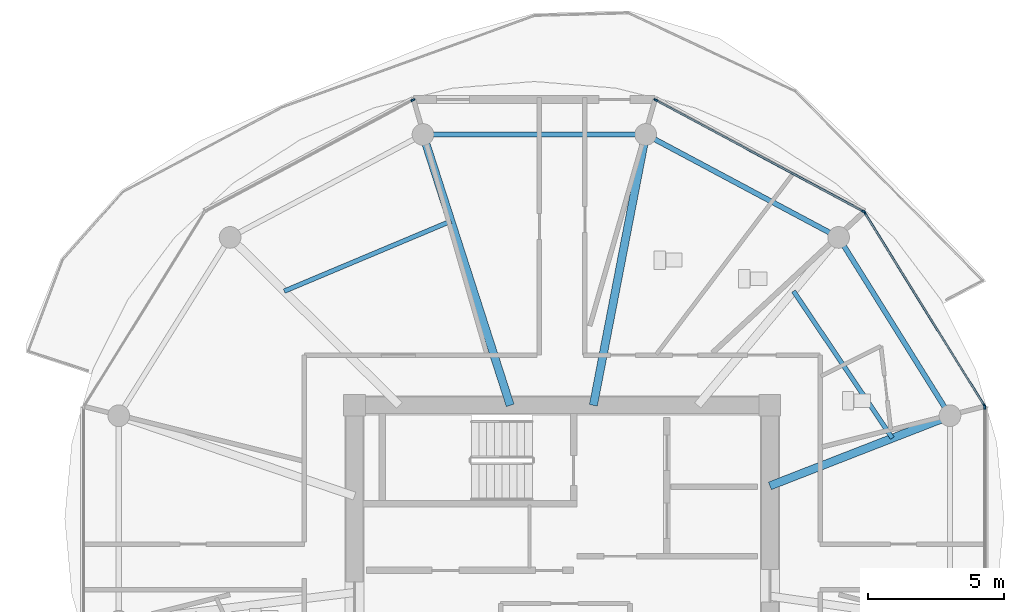
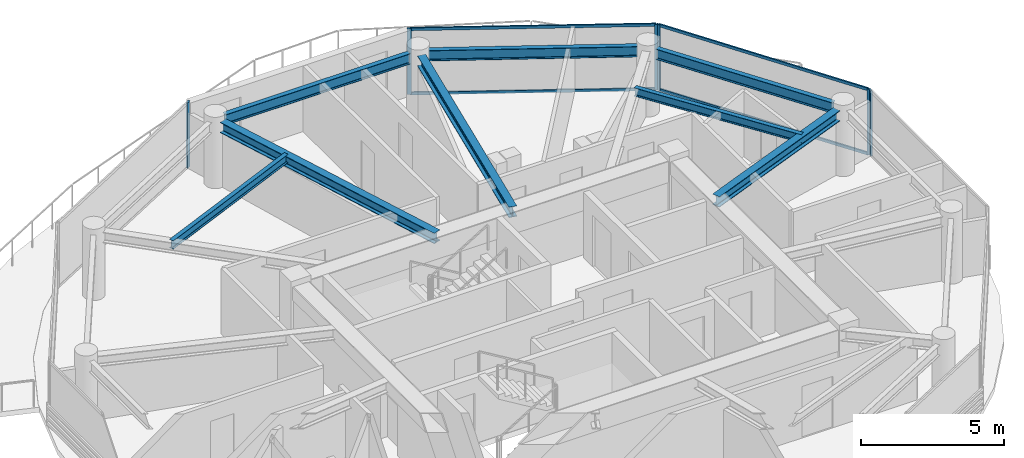
# One storey, part 10 of 23: 10 members, 8 beams, 4 elements without a shape of their own.
"""IFC4 building model written with IfcOpenShell, lengths in metres."""

from ifc_helpers import new_model, si_unit, direction, frame, origin, origin_2d, place, context, subcontext, project, spatial, rectangle, i_section, extrude, source, transform, mapped, material, layer, layer_set, material_profile, profile_set, type_object, type_shapes, element, aggregate, save


model = new_model("IFC4")

# Units and contexts
model_context = context("Model", 3, precision=1e-05, world=origin(), true_north=direction((0.0, 1.0)))
body_context = subcontext(model_context, "Body", "Model", "MODEL_VIEW")
ifc_project = project(units=[si_unit("LENGTHUNIT", "METRE"), si_unit("AREAUNIT", "SQUARE_METRE"), si_unit("VOLUMEUNIT", "CUBIC_METRE"), si_unit("PLANEANGLEUNIT", "RADIAN"), si_unit("MASSUNIT", "GRAM", prefix="KILO")], contexts=[model_context])

# Site, building, storey
site_placement = place(None, origin())
site = spatial("IfcSite", under=ifc_project, at=site_placement, CompositionType="ELEMENT")
building_placement = place(site_placement, origin())
building = spatial("IfcBuilding", under=site, at=building_placement, Name="Norrkilde Senior Care Towers", CompositionType="ELEMENT")
storey_placement = place(building_placement, frame((0.0, 0.0, 177.0)))
storey = spatial("IfcBuildingStorey", under=building, at=storey_placement, Name="L55", CompositionType="ELEMENT", Elevation=177.0)

# Beams
ifc_material_1 = material(Name="Steel S355", Category="steel")
ifc_material_profile_1 = material_profile(ifc_material_1, i_section(OverallWidth=0.18994140625, OverallDepth=0.449951171875, WebThickness=0.009521484375, FlangeThickness=0.0146484375, FilletRadius=0.02099609375, at=origin_2d()), Name="IPE 450")
ifc_profile_set_1 = profile_set([ifc_material_profile_1], Name="Steel S355")
beam_type_1 = type_object("IfcBeamType", Name="Perimeter Ring Spandrel Z3 IPE450", PredefinedType="SPANDREL", material=ifc_profile_set_1)
shared_shape_1 = source(origin(), body_context, "Body", "SweptSolid", [
    extrude(i_section(OverallWidth=0.18994140625, OverallDepth=0.449951171875, WebThickness=0.009521484375, FlangeThickness=0.0146484375, FilletRadius=0.02099609375, at=origin_2d()), origin(), (0.0, 0.0, 1.0), 7.0234375),
])
beam_1_placement = place(storey_placement, frame((42.09423828125, 5.872314453125, 2.5849609375), z_axis=(-0.529789577822, 0.848129119433, 0.0), x_axis=(-0.848129119433, -0.529789577822, 0.0)))
element("IfcBeam", 1, at=beam_1_placement, inside=storey, type_object=beam_type_1, Name="L55 Drum E Perimeter Spandrel 01", PredefinedType="SPANDREL", context=body_context, shape_type="MappedRepresentation", body=[
    mapped(shared_shape_1, transform((0.0, 0.0, 0.0), x_axis=(1.0, 0.0, 0.0), y_axis=(0.0, 1.0, 0.0), z_axis=(0.0, 0.0, 1.0), scale=1.0)),
])
shared_shape_2 = source(origin(), body_context, "Body", "SweptSolid", [
    extrude(i_section(OverallWidth=0.18994140625, OverallDepth=0.449951171875, WebThickness=0.009521484375, FlangeThickness=0.0146484375, FilletRadius=0.02099609375, at=origin_2d()), origin(), (0.0, 0.0, 1.0), 7.333740234375),
])
beam_2_placement = place(storey_placement, frame((37.864990234375, 12.303955078125, 2.5849609375), z_axis=(-0.882247866069, 0.470785198172, 0.0), x_axis=(-0.470785198172, -0.882247866069, 0.0)))
element("IfcBeam", 2, at=beam_2_placement, inside=storey, type_object=beam_type_1, Name="L55 Drum E Perimeter Spandrel 02", PredefinedType="SPANDREL", context=body_context, shape_type="MappedRepresentation", body=[
    mapped(shared_shape_2, transform((0.0, 0.0, 0.0), x_axis=(1.0, 0.0, 0.0), y_axis=(0.0, 1.0, 0.0), z_axis=(0.0, 0.0, 1.0), scale=1.0)),
])
shared_shape_3 = source(origin(), body_context, "Body", "SweptSolid", [
    extrude(i_section(OverallWidth=0.18994140625, OverallDepth=0.449951171875, WebThickness=0.009521484375, FlangeThickness=0.0146484375, FilletRadius=0.02099609375, at=origin_2d()), origin(), (0.0, 0.0, 1.0), 7.484619140625),
])
type_shapes(beam_type_1, [shared_shape_1, shared_shape_2, shared_shape_3])
beam_3_placement = place(storey_placement, frame((30.71728515625, 15.92626953125, 2.5849609375), z_axis=(-1.0, 0.0, 0.0), x_axis=(0.0, -1.0, 0.0)))
element("IfcBeam", 3, at=beam_3_placement, inside=storey, type_object=beam_type_1, Name="L55 Drum E Perimeter Spandrel 03", PredefinedType="SPANDREL", context=body_context, shape_type="MappedRepresentation", body=[
    mapped(shared_shape_3, transform((0.0, 0.0, 0.0), x_axis=(1.0, 0.0, 0.0), y_axis=(0.0, 1.0, 0.0), z_axis=(0.0, 0.0, 1.0), scale=1.0)),
])
ifc_material_profile_2 = material_profile(ifc_material_1, i_section(OverallWidth=0.300048828125, OverallDepth=0.449951171875, WebThickness=0.013916015625, FlangeThickness=0.02587890625, FilletRadius=0.027099609375, at=origin_2d()), Name="HEB 450")
ifc_profile_set_2 = profile_set([ifc_material_profile_2], Name="Steel S355")
beam_type_2 = type_object("IfcBeamType", Name="Radial Floor Beam Z3 HEB450", PredefinedType="BEAM", material=ifc_profile_set_2)
shared_shape_4 = source(origin(), body_context, "Body", "SweptSolid", [
    extrude(i_section(OverallWidth=0.300048828125, OverallDepth=0.449951171875, WebThickness=0.013916015625, FlangeThickness=0.02587890625, FilletRadius=0.027099609375, at=origin_2d()), origin(), (0.0, 0.0, 1.0), 10.120361328125),
])
beam_4_placement = place(storey_placement, frame((26.08447265625, 5.949951171875, 2.5849609375), z_axis=(-0.306440973744, 0.951889662519, 0.0), x_axis=(-0.951889662519, -0.306440973744, 0.0)))
element("IfcBeam", 4, at=beam_4_placement, inside=storey, type_object=beam_type_2, Name="L55 Drum E Radial Floor Beam 04", PredefinedType="BEAM", context=body_context, shape_type="MappedRepresentation", body=[
    mapped(shared_shape_4, transform((0.0, 0.0, 0.0), x_axis=(1.0, 0.0, 0.0), y_axis=(0.0, 1.0, 0.0), z_axis=(0.0, 0.0, 1.0), scale=1.0)),
])
shared_shape_5 = source(origin(), body_context, "Body", "SweptSolid", [
    extrude(i_section(OverallWidth=0.300048828125, OverallDepth=0.449951171875, WebThickness=0.013916015625, FlangeThickness=0.02587890625, FilletRadius=0.027099609375, at=origin_2d()), origin(), (0.0, 0.0, 1.0), 9.80078125),
])
beam_5_placement = place(storey_placement, frame((29.149658203125, 5.949951171875, 2.5849609375), z_axis=(0.189716727661, 0.98183886827, 0.0), x_axis=(-0.98183886827, 0.189716727661, 0.0)))
element("IfcBeam", 5, at=beam_5_placement, inside=storey, type_object=beam_type_2, Name="L55 Drum E Radial Floor Beam 03", PredefinedType="BEAM", context=body_context, shape_type="MappedRepresentation", body=[
    mapped(shared_shape_5, transform((0.0, 0.0, 0.0), x_axis=(1.0, 0.0, 0.0), y_axis=(0.0, 1.0, 0.0), z_axis=(0.0, 0.0, 1.0), scale=1.0)),
])
shared_shape_6 = source(origin(), body_context, "Body", "SweptSolid", [
    extrude(i_section(OverallWidth=0.300048828125, OverallDepth=0.449951171875, WebThickness=0.013916015625, FlangeThickness=0.02587890625, FilletRadius=0.027099609375, at=origin_2d()), origin(), (0.0, 0.0, 1.0), 6.760986328125),
])
type_shapes(beam_type_2, [shared_shape_4, shared_shape_5, shared_shape_6])
beam_6_placement = place(storey_placement, frame((35.64990234375, 2.981201171875, 2.5849609375), z_axis=(0.931742171387, 0.363120539297, 0.0), x_axis=(-0.363120539297, 0.931742171387, 0.0)))
element("IfcBeam", 6, at=beam_6_placement, inside=storey, type_object=beam_type_2, Name="L55 Drum E Radial Floor Beam 01", PredefinedType="BEAM", context=body_context, shape_type="MappedRepresentation", body=[
    mapped(shared_shape_6, transform((0.0, 0.0, 0.0), x_axis=(1.0, 0.0, 0.0), y_axis=(0.0, 1.0, 0.0), z_axis=(0.0, 0.0, 1.0), scale=1.0)),
])
ifc_material_profile_3 = material_profile(ifc_material_1, i_section(OverallWidth=0.169921875, OverallDepth=0.360107421875, WebThickness=0.008056640625, FlangeThickness=0.0126953125, FilletRadius=0.01806640625, at=origin_2d()), Name="IPE 360")
ifc_profile_set_3 = profile_set([ifc_material_profile_3], Name="Steel S355")
beam_type_3 = type_object("IfcBeamType", Name="Secondary Floor Joist IPE360", PredefinedType="JOIST", material=ifc_profile_set_3)
shared_shape_7 = source(origin(), body_context, "Body", "SweptSolid", [
    extrude(i_section(OverallWidth=0.169921875, OverallDepth=0.360107421875, WebThickness=0.008056640625, FlangeThickness=0.0126953125, FilletRadius=0.01806640625, at=origin_2d()), origin(), (0.0, 0.0, 1.0), 6.657470703125),
])
beam_7_placement = place(storey_placement, frame((23.900390625, 12.73388671875, 2.6298828125), z_axis=(-0.921958799252, -0.387287971, 0.0), x_axis=(0.387287971, -0.921958799252, 0.0)))
element("IfcBeam", 7, at=beam_7_placement, inside=storey, type_object=beam_type_3, Name="L55 Drum E Secondary Floor Joist 2", PredefinedType="JOIST", context=body_context, shape_type="MappedRepresentation", body=[
    mapped(shared_shape_7, transform((0.0, 0.0, 0.0), x_axis=(1.0, 0.0, 0.0), y_axis=(0.0, 1.0, 0.0), z_axis=(0.0, 0.0, 1.0), scale=1.0)),
])
shared_shape_8 = source(origin(), body_context, "Body", "SweptSolid", [
    extrude(i_section(OverallWidth=0.169921875, OverallDepth=0.360107421875, WebThickness=0.008056640625, FlangeThickness=0.0126953125, FilletRadius=0.01806640625, at=origin_2d()), origin(), (0.0, 0.0, 1.0), 6.525390625),
])
type_shapes(beam_type_3, [shared_shape_7, shared_shape_8])
beam_8_placement = place(storey_placement, frame((40.161865234375, 4.739501953125, 2.6298828125), z_axis=(-0.55779590102, 0.829978152005, 0.0), x_axis=(-0.829978152005, -0.55779590102, 0.0)))
element("IfcBeam", 8, at=beam_8_placement, inside=storey, type_object=beam_type_3, Name="L55 Drum E Secondary Floor Joist 1", PredefinedType="JOIST", context=body_context, shape_type="MappedRepresentation", body=[
    mapped(shared_shape_8, transform((0.0, 0.0, 0.0), x_axis=(1.0, 0.0, 0.0), y_axis=(0.0, 1.0, 0.0), z_axis=(0.0, 0.0, 1.0), scale=1.0)),
])

# Curtain wall, members
ifc_material_2 = material(Name="Triple Low-E Insulated Glazing", Category="glass")
ifc_layer = layer(ifc_material_2, 0.18994140625)
ifc_layer_set = layer_set([ifc_layer], Name="Triple Low-E Insulated Glazing")
curtain_wall_type = type_object("IfcCurtainWallType", Name="CW4 Zone 3 Senior Residence Curtain Wall", PredefinedType="NOTDEFINED", material=ifc_layer_set)
curtain_wall_1_placement = place(storey_placement, origin())
curtain_wall_1 = element("IfcCurtainWall", 9, at=curtain_wall_1_placement, inside=storey, type_object=curtain_wall_type, Name="L55 Drum E Curtain Wall 00", PredefinedType="NOTDEFINED")
ifc_material_3 = material(Name="Anodised Aluminium", Category="aluminium")
ifc_material_profile_4 = material_profile(ifc_material_3, rectangle(XDim=0.06494140625, YDim=0.14990234375, at=origin_2d()), Name="ALU MULL 65x150")
ifc_profile_set_4 = profile_set([ifc_material_profile_4], Name="Anodised Aluminium")
member_type_1 = type_object("IfcMemberType", Name="Curtain Wall Mullion Z3-Z4 65x150", PredefinedType="MULLION", material=ifc_profile_set_4)
shared_shape_9 = source(origin(), body_context, "Body", "SweptSolid", [
    extrude(rectangle(XDim=0.06494140625, YDim=0.14990234375, at=origin_2d()), origin(), (0.0, 0.0, 1.0), 2.81005859375),
])
type_shapes(member_type_1, [shared_shape_9])
member_1_placement = place(storey_placement, frame((39.14013671875, 13.04736328125, 0.0), z_axis=(0.0, 0.0, 1.0), x_axis=(0.84963405474, 0.52737270789, 0.0)))
member_1 = element("IfcMember", 10, at=member_1_placement, type_object=member_type_1, Name="CW-4 mullion 1", PredefinedType="MULLION", context=body_context, shape_type="MappedRepresentation", body=[
    mapped(shared_shape_9, transform((0.0, 0.0, 0.0), x_axis=(1.0, 0.0, 0.0), y_axis=(0.0, 1.0, 0.0), z_axis=(0.0, 0.0, 1.0), scale=1.0)),
])
member_2_placement = place(storey_placement, frame((43.552490234375, 5.93896484375, 0.0), z_axis=(0.0, 0.0, 1.0), x_axis=(0.84963405474, 0.52737270789, 0.0)))
member_2 = element("IfcMember", 11, at=member_2_placement, type_object=member_type_1, Name="CW-4 mullion 2", PredefinedType="MULLION", context=body_context, shape_type="MappedRepresentation", body=[
    mapped(shared_shape_9, transform((0.0, 0.0, 0.0), x_axis=(1.0, 0.0, 0.0), y_axis=(0.0, 1.0, 0.0), z_axis=(0.0, 0.0, 1.0), scale=1.0)),
])

curtain_wall_2_placement = place(storey_placement, origin())
curtain_wall_2 = element("IfcCurtainWall", 12, at=curtain_wall_2_placement, inside=storey, type_object=curtain_wall_type, Name="L55 Drum E Curtain Wall 01", PredefinedType="NOTDEFINED")
member_3_placement = place(storey_placement, frame((31.4501953125, 17.195556640625, 0.0), z_axis=(0.0, 0.0, 1.0), x_axis=(0.47311715104, 0.880999524059, 0.0)))
member_3 = element("IfcMember", 13, at=member_3_placement, type_object=member_type_1, Name="CW-4 mullion 1", PredefinedType="MULLION", context=body_context, shape_type="MappedRepresentation", body=[
    mapped(shared_shape_9, transform((0.0, 0.0, 0.0), x_axis=(1.0, 0.0, 0.0), y_axis=(0.0, 1.0, 0.0), z_axis=(0.0, 0.0, 1.0), scale=1.0)),
])
member_4_placement = place(storey_placement, frame((39.094482421875, 13.09033203125, 0.0), z_axis=(0.0, 0.0, 1.0), x_axis=(0.47311715104, 0.880999524059, 0.0)))
member_4 = element("IfcMember", 14, at=member_4_placement, type_object=member_type_1, Name="CW-4 mullion 2", PredefinedType="MULLION", context=body_context, shape_type="MappedRepresentation", body=[
    mapped(shared_shape_9, transform((0.0, 0.0, 0.0), x_axis=(1.0, 0.0, 0.0), y_axis=(0.0, 1.0, 0.0), z_axis=(0.0, 0.0, 1.0), scale=1.0)),
])

# Curtain wall, member
curtain_wall_3_placement = place(storey_placement, origin())
curtain_wall_3 = element("IfcCurtainWall", 15, at=curtain_wall_3_placement, inside=storey, type_object=curtain_wall_type, Name="L55 Drum E Curtain Wall 03", PredefinedType="NOTDEFINED")
member_5_placement = place(storey_placement, frame((22.499755859375, 17.195556640625, 0.0), z_axis=(0.0, 0.0, 1.0), x_axis=(-0.47311715104, 0.880999524059, 0.0)))
member_5 = element("IfcMember", 16, at=member_5_placement, type_object=member_type_1, Name="CW-4 mullion 2", PredefinedType="MULLION", context=body_context, shape_type="MappedRepresentation", body=[
    mapped(shared_shape_9, transform((0.0, 0.0, 0.0), x_axis=(1.0, 0.0, 0.0), y_axis=(0.0, 1.0, 0.0), z_axis=(0.0, 0.0, 1.0), scale=1.0)),
])
aggregate(curtain_wall_3, [member_5])

curtain_wall_4_placement = place(storey_placement, origin())
curtain_wall_4 = element("IfcCurtainWall", 17, at=curtain_wall_4_placement, inside=storey, type_object=curtain_wall_type, Name="L55 Drum E Curtain Wall 11", PredefinedType="NOTDEFINED")
member_6_placement = place(storey_placement, frame((43.569580078125, 5.878662109375, 0.0), z_axis=(0.0, 0.0, 1.0), x_axis=(1.0, 0.0, 0.0)))
member_6 = element("IfcMember", 18, at=member_6_placement, type_object=member_type_1, Name="CW-4 mullion 1", PredefinedType="MULLION", context=body_context, shape_type="MappedRepresentation", body=[
    mapped(shared_shape_9, transform((0.0, 0.0, 0.0), x_axis=(1.0, 0.0, 0.0), y_axis=(0.0, 1.0, 0.0), z_axis=(0.0, 0.0, 1.0), scale=1.0)),
])
aggregate(curtain_wall_4, [member_6])

# Member
ifc_material_profile_5 = material_profile(ifc_material_3, rectangle(XDim=0.06005859375, YDim=0.1201171875, at=origin_2d()), Name="ALU TRAN 60x120")
ifc_profile_set_5 = profile_set([ifc_material_profile_5], Name="Anodised Aluminium")
member_type_2 = type_object("IfcMemberType", Name="Curtain Wall Transom Typical 60x120", PredefinedType="USERDEFINED", material=ifc_profile_set_5)
shared_shape_10 = source(origin(), body_context, "Body", "SweptSolid", [
    extrude(rectangle(XDim=0.06005859375, YDim=0.1201171875, at=origin_2d()), origin(), (0.0, 0.0, 1.0), 8.301513671875),
])
member_7_placement = place(storey_placement, frame((39.157470703125, 13.019775390625, 0.030029296875), z_axis=(0.527368718394, -0.849636531029, 0.0), x_axis=(0.849636531029, 0.527368718394, 0.0)))
member_7 = element("IfcMember", 19, at=member_7_placement, type_object=member_type_2, Name="CW-4 transom 1.1", ObjectType="TRANSOM", PredefinedType="USERDEFINED", context=body_context, shape_type="MappedRepresentation", body=[
    mapped(shared_shape_10, transform((0.0, 0.0, 0.0), x_axis=(1.0, 0.0, 0.0), y_axis=(0.0, 1.0, 0.0), z_axis=(0.0, 0.0, 1.0), scale=1.0)),
])

member_8_placement = place(storey_placement, frame((39.157470703125, 13.019775390625, 2.780029296875), z_axis=(0.527368718394, -0.849636531029, 0.0), x_axis=(0.849636531029, 0.527368718394, 0.0)))
member_8 = element("IfcMember", 20, at=member_8_placement, type_object=member_type_2, Name="CW-4 transom 1.2", ObjectType="TRANSOM", PredefinedType="USERDEFINED", context=body_context, shape_type="MappedRepresentation", body=[
    mapped(shared_shape_10, transform((0.0, 0.0, 0.0), x_axis=(1.0, 0.0, 0.0), y_axis=(0.0, 1.0, 0.0), z_axis=(0.0, 0.0, 1.0), scale=1.0)),
])

aggregate(curtain_wall_1, [member_1, member_2, member_7, member_8])

shared_shape_11 = source(origin(), body_context, "Body", "SweptSolid", [
    extrude(rectangle(XDim=0.06005859375, YDim=0.1201171875, at=origin_2d()), origin(), (0.0, 0.0, 1.0), 8.612060546875),
])
type_shapes(member_type_2, [shared_shape_10, shared_shape_11])
member_9_placement = place(storey_placement, frame((31.478759765625, 17.18017578125, 0.030029296875), z_axis=(0.881000337462, -0.473115636384, 0.0), x_axis=(0.473115636384, 0.881000337462, 0.0)))
member_9 = element("IfcMember", 21, at=member_9_placement, type_object=member_type_2, Name="CW-4 transom 1.1", ObjectType="TRANSOM", PredefinedType="USERDEFINED", context=body_context, shape_type="MappedRepresentation", body=[
    mapped(shared_shape_11, transform((0.0, 0.0, 0.0), x_axis=(1.0, 0.0, 0.0), y_axis=(0.0, 1.0, 0.0), z_axis=(0.0, 0.0, 1.0), scale=1.0)),
])

member_10_placement = place(storey_placement, frame((31.478759765625, 17.18017578125, 2.780029296875), z_axis=(0.881000337462, -0.473115636384, 0.0), x_axis=(0.473115636384, 0.881000337462, 0.0)))
member_10 = element("IfcMember", 22, at=member_10_placement, type_object=member_type_2, Name="CW-4 transom 1.2", ObjectType="TRANSOM", PredefinedType="USERDEFINED", context=body_context, shape_type="MappedRepresentation", body=[
    mapped(shared_shape_11, transform((0.0, 0.0, 0.0), x_axis=(1.0, 0.0, 0.0), y_axis=(0.0, 1.0, 0.0), z_axis=(0.0, 0.0, 1.0), scale=1.0)),
])

aggregate(curtain_wall_2, [member_3, member_4, member_9, member_10])

save(model, "model.ifc")
